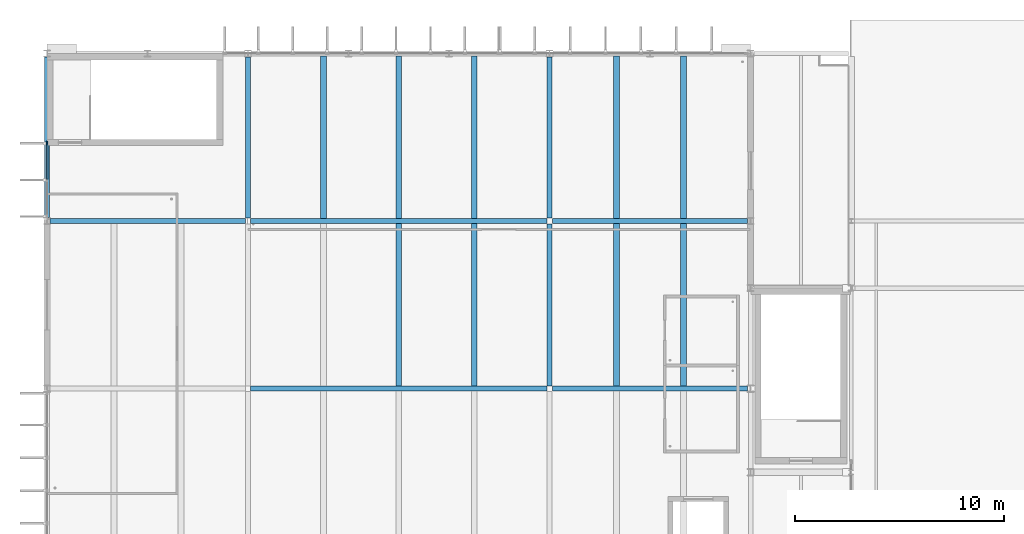
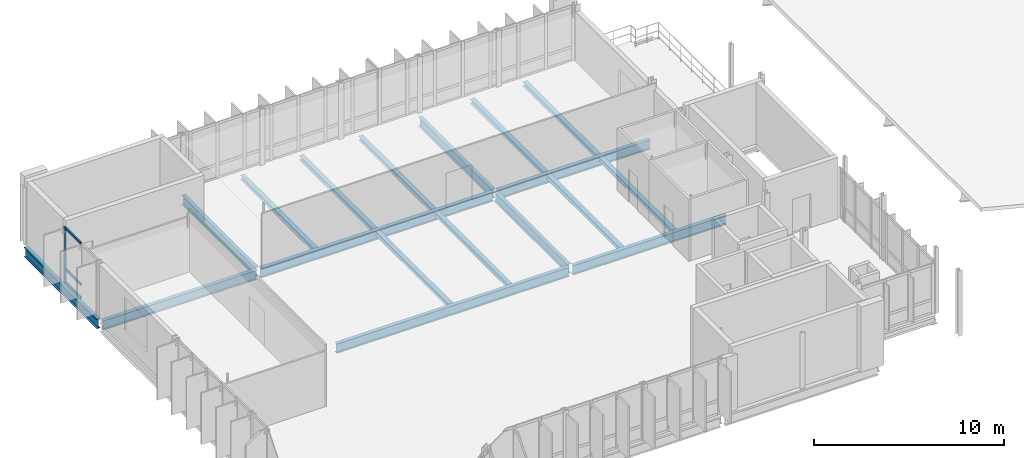
# One storey, part 8 of 22: 18 beams, 4 members, 1 element without a shape of its own.
"""IFC4 building model written with IfcOpenShell, lengths in metres."""

from ifc_helpers import new_model, si_unit, direction, frame, origin, origin_2d, place, context, subcontext, project, spatial, rectangle, i_section, extrude, material, material_profile, profile_set, type_object, element, aggregate, save


model = new_model("IFC4")

# Units and contexts
model_context = context("Model", 3, precision=1e-05, world=origin(), true_north=direction((0.0, 1.0)))
body_context = subcontext(model_context, "Body", "Model", "MODEL_VIEW")
ifc_project = project(units=[si_unit("LENGTHUNIT", "METRE"), si_unit("AREAUNIT", "SQUARE_METRE"), si_unit("VOLUMEUNIT", "CUBIC_METRE"), si_unit("PLANEANGLEUNIT", "RADIAN"), si_unit("MASSUNIT", "GRAM", prefix="KILO")], contexts=[model_context])

# Site, building, storey
site_placement = place(None, origin())
site = spatial("IfcSite", under=ifc_project, at=site_placement, CompositionType="ELEMENT")
building_placement = place(site_placement, origin())
building = spatial("IfcBuilding", under=site, at=building_placement, Name="Dunescarp Central Library", CompositionType="ELEMENT")
storey_placement = place(building_placement, frame((0.0, 0.0, 27.60009765625)))
storey = spatial("IfcBuildingStorey", under=building, at=storey_placement, Name="L06", CompositionType="ELEMENT", Elevation=27.60009765625)

# Curtain wall, members
ifc_material_1 = material(Name="Marine-grade anodised aluminium 6063-T6", Category="aluminium")
curtain_wall_type = type_object("IfcCurtainWallType", Name="ARC-CW-STICK", PredefinedType="NOTDEFINED", material=ifc_material_1)
curtain_wall_placement = place(storey_placement, origin())
curtain_wall = element("IfcCurtainWall", 1, at=curtain_wall_placement, inside=storey, type_object=curtain_wall_type, Name="L06 curtain wall CW-V1-043", PredefinedType="NOTDEFINED")
ifc_material_profile_1 = material_profile(ifc_material_1, rectangle(XDim=0.080078125, YDim=0.179931640625, at=origin_2d()), Name="AL 80x180")
ifc_profile_set_1 = profile_set([ifc_material_profile_1], Name="Marine-grade anodised aluminium 6063-T6")
member_type_1 = type_object("IfcMemberType", Name="ARC-CWM-180", PredefinedType="MULLION", material=ifc_profile_set_1)
member_1_placement = place(storey_placement, frame((0.0, 32.510009765625, 0.0), z_axis=(0.0, 0.0, 1.0), x_axis=(-1.0, 0.0, 0.0)))
member_1 = element("IfcMember", 2, at=member_1_placement, type_object=member_type_1, Name="CW-V1-043 mullion 3", PredefinedType="MULLION", context=body_context, shape_type="SweptSolid", body=[
    extrude(rectangle(XDim=0.080078125, YDim=0.179931640625, at=origin_2d()), origin(), (0.0, 0.0, 1.0), 3.574951171875),
])
ifc_material_profile_2 = material_profile(ifc_material_1, rectangle(XDim=0.080078125, YDim=0.14990234375, at=origin_2d()), Name="AL 80x150")
ifc_profile_set_2 = profile_set([ifc_material_profile_2], Name="Marine-grade anodised aluminium 6063-T6")
member_type_2 = type_object("IfcMemberType", Name="ARC-CWT-150", PredefinedType="USERDEFINED", material=ifc_profile_set_2)
member_2_placement = place(storey_placement, frame((0.0, 30.802490234375, 0.039794921875), z_axis=(0.0, 1.0, 0.0), x_axis=(-1.0, 0.0, 0.0)))
member_2 = element("IfcMember", 3, at=member_2_placement, type_object=member_type_2, Name="CW-V1-043 transom 2.1", ObjectType="TRANSOM", PredefinedType="USERDEFINED", context=body_context, shape_type="SweptSolid", body=[
    extrude(rectangle(XDim=0.080078125, YDim=0.14990234375, at=origin_2d()), origin(), (0.0, 0.0, 1.0), 1.66748046875),
])
member_3_placement = place(storey_placement, frame((0.0, 30.802490234375, 0.89990234375), z_axis=(0.0, 1.0, 0.0), x_axis=(-1.0, 0.0, 0.0)))
member_3 = element("IfcMember", 4, at=member_3_placement, type_object=member_type_2, Name="CW-V1-043 transom 2.2", ObjectType="TRANSOM", PredefinedType="USERDEFINED", context=body_context, shape_type="SweptSolid", body=[
    extrude(rectangle(XDim=0.080078125, YDim=0.14990234375, at=origin_2d()), origin(), (0.0, 0.0, 1.0), 1.66748046875),
])
member_4_placement = place(storey_placement, frame((0.0, 30.802490234375, 3.534912109375), z_axis=(0.0, 1.0, 0.0), x_axis=(-1.0, 0.0, 0.0)))
member_4 = element("IfcMember", 5, at=member_4_placement, type_object=member_type_2, Name="CW-V1-043 transom 2.3", ObjectType="TRANSOM", PredefinedType="USERDEFINED", context=body_context, shape_type="SweptSolid", body=[
    extrude(rectangle(XDim=0.080078125, YDim=0.14990234375, at=origin_2d()), origin(), (0.0, 0.0, 1.0), 1.66748046875),
])
aggregate(curtain_wall, [member_1, member_2, member_3, member_4])

# Beams
ifc_material_2 = material(Name="Steel S355JR", Category="steel")
ifc_material_profile_3 = material_profile(ifc_material_2, i_section(OverallWidth=0.22900390625, OverallDepth=0.6123046875, WebThickness=0.011962890625, FlangeThickness=0.01953125, at=origin_2d()), Name="UB 610x229x125")
ifc_profile_set_3 = profile_set([ifc_material_profile_3], Name="Steel S355JR")
beam_type_1 = type_object("IfcBeamType", Name="STR-BM-UB610", PredefinedType="BEAM", material=ifc_profile_set_3)
beam_1_placement = place(storey_placement, frame((0.153076171875, 28.800048828125, -0.51611328125), z_axis=(1.0, 0.0, 0.0), x_axis=(0.0, 1.0, 0.0)))
element("IfcBeam", 6, at=beam_1_placement, inside=storey, type_object=beam_type_1, Name="L06 girder BM-L06-0287", PredefinedType="BEAM", context=body_context, shape_type="SweptSolid", body=[
    extrude(i_section(OverallWidth=0.22900390625, OverallDepth=0.6123046875, WebThickness=0.011962890625, FlangeThickness=0.01953125, at=origin_2d()), origin(), (0.0, 0.0, 1.0), 9.31884765625),
])
for number, where, z_axis, x_axis, name in (
    (7, (9.72802734375, 20.800048828125, -0.51611328125), (1.0, 0.0, 0.0), (0.0, 1.0, 0.0), "L06 girder BM-L06-0301"),
    (8, (9.72802734375, 28.800048828125, -0.51611328125), (1.0, 0.0, 0.0), (0.0, 1.0, 0.0), "L06 girder BM-L06-0306"),
):
    element("IfcBeam", number, at=place(storey_placement, frame(where, z_axis=z_axis, x_axis=x_axis)), inside=storey, type_object=beam_type_1, Name=name, PredefinedType="BEAM", context=body_context, shape_type="SweptSolid", body=[
        extrude(i_section(OverallWidth=0.22900390625, OverallDepth=0.6123046875, WebThickness=0.011962890625, FlangeThickness=0.01953125, at=origin_2d()), origin(), (0.0, 0.0, 1.0), 14.14404296875),
    ])
for number, where, z_axis, x_axis, name in (
    (9, (24.1279296875, 20.800048828125, -0.51611328125), (1.0, 0.0, 0.0), (0.0, 1.0, 0.0), "L06 girder BM-L06-0319"),
    (10, (24.1279296875, 28.800048828125, -0.51611328125), (1.0, 0.0, 0.0), (0.0, 1.0, 0.0), "L06 girder BM-L06-0323"),
):
    element("IfcBeam", number, at=place(storey_placement, frame(where, z_axis=z_axis, x_axis=x_axis)), inside=storey, type_object=beam_type_1, Name=name, PredefinedType="BEAM", context=body_context, shape_type="SweptSolid", body=[
        extrude(i_section(OverallWidth=0.22900390625, OverallDepth=0.6123046875, WebThickness=0.011962890625, FlangeThickness=0.01953125, at=origin_2d()), origin(), (0.0, 0.0, 1.0), 9.319091796875),
    ])
ifc_material_profile_4 = material_profile(ifc_material_2, i_section(OverallWidth=0.2275390625, OverallDepth=0.6025390625, WebThickness=0.010498046875, FlangeThickness=0.014892578125, at=origin_2d()), Name="UB 610x229x101")
ifc_profile_set_4 = profile_set([ifc_material_profile_4], Name="Steel S355JR")
beam_type_2 = type_object("IfcBeamType", Name="STR-BM-UB610X101", PredefinedType="BEAM", material=ifc_profile_set_4)
beam_2_placement = place(storey_placement, frame((0.0, 28.9609375, -0.510986328125), z_axis=(0.0, 1.0, 0.0), x_axis=(-1.0, 0.0, 0.0)))
element("IfcBeam", 11, at=beam_2_placement, inside=storey, type_object=beam_type_2, Name="L06 girder BM-L06-0293", PredefinedType="BEAM", context=body_context, shape_type="SweptSolid", body=[
    extrude(i_section(OverallWidth=0.2275390625, OverallDepth=0.6025390625, WebThickness=0.010498046875, FlangeThickness=0.014892578125, at=origin_2d()), origin(), (0.0, 0.0, 1.0), 7.677978515625),
])
beam_3_placement = place(storey_placement, frame((9.60009765625, 28.93505859375, -0.510986328125), z_axis=(0.0, 1.0, 0.0), x_axis=(-1.0, 0.0, 0.0)))
element("IfcBeam", 12, at=beam_3_placement, inside=storey, type_object=beam_type_2, Name="L06 girder BM-L06-0294", PredefinedType="BEAM", context=body_context, shape_type="SweptSolid", body=[
    extrude(i_section(OverallWidth=0.2275390625, OverallDepth=0.6025390625, WebThickness=0.010498046875, FlangeThickness=0.014892578125, at=origin_2d()), origin(), (0.0, 0.0, 1.0), 7.703857421875),
])
beam_4_placement = place(storey_placement, frame((24.0, 20.93505859375, -0.510986328125), z_axis=(0.0, 1.0, 0.0), x_axis=(-1.0, 0.0, 0.0)))
element("IfcBeam", 13, at=beam_4_placement, inside=storey, type_object=beam_type_2, Name="L06 girder BM-L06-0307", PredefinedType="BEAM", context=body_context, shape_type="SweptSolid", body=[
    extrude(i_section(OverallWidth=0.2275390625, OverallDepth=0.6025390625, WebThickness=0.010498046875, FlangeThickness=0.014892578125, at=origin_2d()), origin(), (0.0, 0.0, 1.0), 7.72998046875),
])
beam_5_placement = place(storey_placement, frame((24.0, 28.93505859375, -0.510986328125), z_axis=(0.0, 1.0, 0.0), x_axis=(-1.0, 0.0, 0.0)))
element("IfcBeam", 14, at=beam_5_placement, inside=storey, type_object=beam_type_2, Name="L06 girder BM-L06-0312", PredefinedType="BEAM", context=body_context, shape_type="SweptSolid", body=[
    extrude(i_section(OverallWidth=0.2275390625, OverallDepth=0.6025390625, WebThickness=0.010498046875, FlangeThickness=0.014892578125, at=origin_2d()), origin(), (0.0, 0.0, 1.0), 7.703857421875),
])
ifc_material_profile_5 = material_profile(ifc_material_2, i_section(OverallWidth=0.280029296875, OverallDepth=0.27001953125, WebThickness=0.008056640625, FlangeThickness=0.012939453125, at=origin_2d()), Name="HEA 280")
ifc_profile_set_5 = profile_set([ifc_material_profile_5], Name="Steel S355JR")
beam_type_3 = type_object("IfcBeamType", Name="STR-JS-HEA280", PredefinedType="JOIST", material=ifc_profile_set_5)
for number, where, z_axis, x_axis, name in (
    (15, (16.800048828125, 20.9130859375, -0.34521484375), (0.0, 1.0, 0.0), (-1.0, 0.0, 0.0), "L06 joist JS-L06-0309"),
    (16, (20.39990234375, 20.9130859375, -0.34521484375), (0.0, 1.0, 0.0), (-1.0, 0.0, 0.0), "L06 joist JS-L06-0310"),
    (17, (13.199951171875, 28.9130859375, -0.34521484375), (0.0, 1.0, 0.0), (-1.0, 0.0, 0.0), "L06 joist JS-L06-0313"),
    (18, (16.800048828125, 28.9130859375, -0.34521484375), (0.0, 1.0, 0.0), (-1.0, 0.0, 0.0), "L06 joist JS-L06-0314"),
    (19, (20.39990234375, 28.9130859375, -0.34521484375), (0.0, 1.0, 0.0), (-1.0, 0.0, 0.0), "L06 joist JS-L06-0315"),
    (20, (27.199951171875, 20.9130859375, -0.34521484375), (0.0, 1.0, 0.0), (-1.0, 0.0, 0.0), "L06 joist JS-L06-0325"),
    (21, (30.39990234375, 20.9130859375, -0.34521484375), (0.0, 1.0, 0.0), (-1.0, 0.0, 0.0), "L06 joist JS-L06-0326"),
    (22, (27.199951171875, 28.9130859375, -0.34521484375), (0.0, 1.0, 0.0), (-1.0, 0.0, 0.0), "L06 joist JS-L06-0329"),
    (23, (30.39990234375, 28.9130859375, -0.34521484375), (0.0, 1.0, 0.0), (-1.0, 0.0, 0.0), "L06 joist JS-L06-0330"),
):
    element("IfcBeam", number, at=place(storey_placement, frame(where, z_axis=z_axis, x_axis=x_axis)), inside=storey, type_object=beam_type_3, Name=name, PredefinedType="JOIST", context=body_context, shape_type="SweptSolid", body=[
        extrude(i_section(OverallWidth=0.280029296875, OverallDepth=0.27001953125, WebThickness=0.008056640625, FlangeThickness=0.012939453125, at=origin_2d()), origin(), (0.0, 0.0, 1.0), 7.77392578125),
    ])

save(model, "model.ifc")
